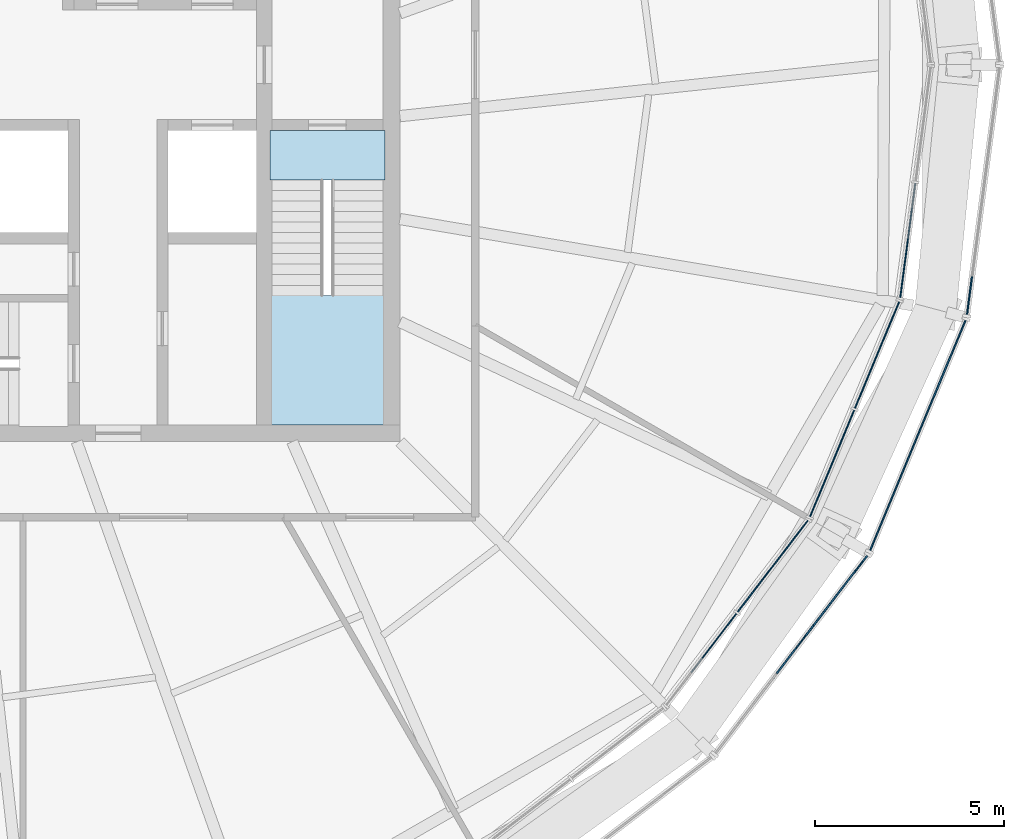
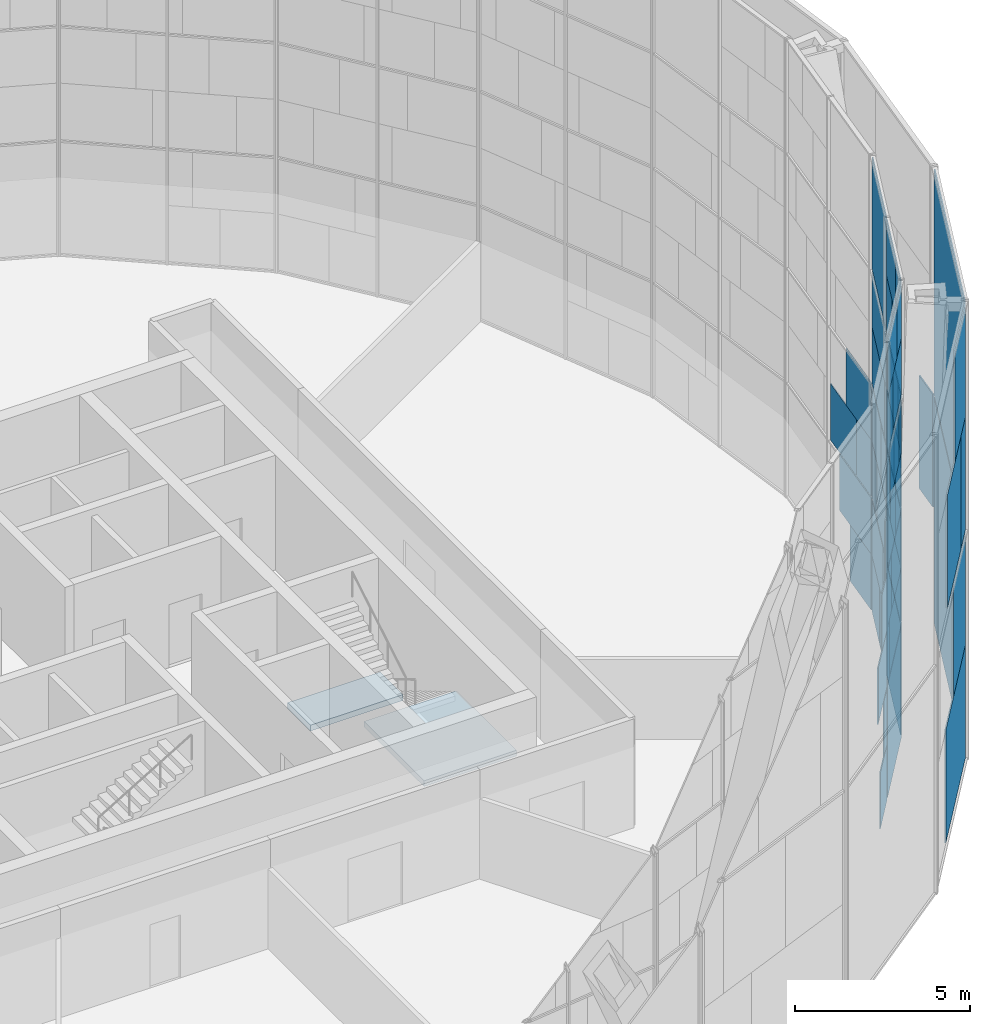
# One storey, part 19 of 30: 58 plates, 2 slabs, 7 elements without a shape of their own.
"""IFC4 building model written with IfcOpenShell, lengths in metres."""

import ifcopenshell
import ifcopenshell.guid

model = None  # the IFC model being written
_history = None  # IfcOwnerHistory: only IFC2X3 demands one
_inside = {}  # id of a spatial element -> (the spatial element, [elements in it])
_under = {}  # id of a project, library or spatial element -> (it, [spatial elements below it])
_declared = {}  # id of a project -> (the project, [libraries it declares])
_typed = {}  # id of a type object -> (the type object, [elements of that type])
_made_of = {}  # id of a material, layer set ... -> (it, [elements and type objects made of it])


def new_model(schema):
    """Start an empty IFC model of exactly this schema.

    Asked for "IFC4X3", IfcOpenShell would pick the latest addendum, in which some entities
    have other attributes; the version numbers below select the first issue.
    IFC2X3 requires an IfcOwnerHistory on every rooted entity: one is made here for all.
    """
    global model, _history
    if schema == "IFC4X3":
        model = ifcopenshell.file(schema_version=(4, 3, 0, 0))
    else:
        model = ifcopenshell.file(schema=schema)
    _inside.clear()
    _under.clear()
    _declared.clear()
    _typed.clear()
    _made_of.clear()
    _history = None
    if model.schema == "IFC2X3":
        org = make("IfcOrganization", Name="unknown")
        user = make(
            "IfcPersonAndOrganization",
            ThePerson=make("IfcPerson", FamilyName="unknown"),
            TheOrganization=org,
        )
        app = make(
            "IfcApplication",
            ApplicationDeveloper=org,
            Version="unknown",
            ApplicationFullName="unknown",
            ApplicationIdentifier="unknown",
        )
        _history = make(
            "IfcOwnerHistory",
            OwningUser=user,
            OwningApplication=app,
            ChangeAction="ADDED",
            CreationDate=0,
        )
    return model


def make(cls, **values):
    """One entity of the class cls with the attributes given. An attribute that is None is left unset."""
    return model.create_entity(
        cls, **{name: value for name, value in values.items() if value is not None}
    )


def rooted(cls, **values):
    """An entity with a GlobalId (a new one), such as an element, a storey or a relation."""
    return make(cls, GlobalId=ifcopenshell.guid.new(), OwnerHistory=_history, **values)


def si_unit(unit_type, name, prefix=None):
    """IfcSIUnit, for example si_unit("LENGTHUNIT", "METRE", prefix="MILLI")."""
    return make("IfcSIUnit", UnitType=unit_type, Prefix=prefix, Name=name)


def assignment(units):
    """IfcUnitAssignment: the units of a project."""
    return None if units is None else make("IfcUnitAssignment", Units=units)


def point(xyz):
    """IfcCartesianPoint."""
    return None if xyz is None else make("IfcCartesianPoint", Coordinates=xyz)


def direction(xyz):
    """IfcDirection."""
    return None if xyz is None else make("IfcDirection", DirectionRatios=xyz)


def frame(location, z_axis=None, x_axis=None):
    """IfcAxis2Placement3D, a coordinate frame: its origin and axes. An axis left out is left unset."""
    return make(
        "IfcAxis2Placement3D",
        Location=point(location),
        Axis=direction(z_axis),
        RefDirection=direction(x_axis),
    )


def frame_2d(location, x_axis=None):
    """IfcAxis2Placement2D, a coordinate frame in the plane: its origin and x axis."""
    return make(
        "IfcAxis2Placement2D", Location=point(location), RefDirection=direction(x_axis)
    )


def origin():
    """The frame at (0, 0, 0) with its axes left unset."""
    return frame((0.0, 0.0, 0.0))


def origin_2d():
    """The frame at (0, 0) in the plane with its x axis left unset."""
    return frame_2d((0.0, 0.0))


def place(relative_to, where):
    """IfcLocalPlacement: puts the frame where relative to a parent placement (None: the world)."""
    return make(
        "IfcLocalPlacement", PlacementRelTo=relative_to, RelativePlacement=where
    )


def context(
    kind, dimensions, precision=None, world=None, true_north=None, identifier=None
):
    """IfcGeometricRepresentationContext, for example the 3D "Model" context."""
    return make(
        "IfcGeometricRepresentationContext",
        ContextIdentifier=identifier,
        ContextType=kind,
        CoordinateSpaceDimension=dimensions,
        Precision=precision,
        WorldCoordinateSystem=world,
        TrueNorth=true_north,
    )


def subcontext(parent, identifier, kind, view, scale=None):
    """IfcGeometricRepresentationSubContext, for example "Body" below "Model"."""
    return make(
        "IfcGeometricRepresentationSubContext",
        ContextIdentifier=identifier,
        ContextType=kind,
        ParentContext=parent,
        TargetScale=scale,
        TargetView=view,
    )


def project(units=None, contexts=None):
    """IfcProject with its units and contexts."""
    return rooted(
        "IfcProject",
        Name="project",
        RepresentationContexts=contexts,
        UnitsInContext=assignment(units),
    )


def spatial(cls, under=None, at=None, **own):
    """A site, building, storey or space (cls), placed at a placement, below another one or the project."""
    s = rooted(cls, ObjectPlacement=at, **own)
    if under is not None:
        _under.setdefault(under.id(), (under, []))[1].append(s)
    return s


def polyline(points):
    """IfcPolyline through the points."""
    return make("IfcPolyline", Points=[point(p) for p in points])


def profile(cls, at=None, kind="AREA", **sizes):
    """A parametric profile (cls). Its sizes go by their IFC names, for example OverallWidth=200.0."""
    return make(cls, ProfileType=kind, Position=at, **sizes)


def rectangle(**sizes):
    """IfcRectangleProfileDef."""
    return profile("IfcRectangleProfileDef", **sizes)


def outline(outer, holes=None, kind="AREA"):
    """IfcArbitraryClosedProfileDef: a profile drawn as a closed curve; with holes, ...WithVoids."""
    if holes is None:
        return make("IfcArbitraryClosedProfileDef", ProfileType=kind, OuterCurve=outer)
    return make(
        "IfcArbitraryProfileDefWithVoids",
        ProfileType=kind,
        OuterCurve=outer,
        InnerCurves=holes,
    )


def extrude(swept, where, along, depth):
    """IfcExtrudedAreaSolid: the profile swept, set in the frame where, extruded along a direction by depth."""
    return make(
        "IfcExtrudedAreaSolid",
        SweptArea=swept,
        Position=where,
        ExtrudedDirection=direction(along),
        Depth=depth,
    )


def shape(context_of_items, identifier, shape_type, items):
    """IfcShapeRepresentation: the items that make up one representation, for example the "Body"."""
    return make(
        "IfcShapeRepresentation",
        ContextOfItems=context_of_items,
        RepresentationIdentifier=identifier,
        RepresentationType=shape_type,
        Items=items,
    )


def material(Name=None, Category=None):
    """IfcMaterial."""
    return make("IfcMaterial", Name=Name, Category=Category)


def layer(
    of_material, thickness, ventilated=None, Name=None, Category=None, Priority=None
):
    """IfcMaterialLayer: one layer of a wall or slab, of a material (None: an air gap)."""
    return make(
        "IfcMaterialLayer",
        Material=of_material,
        LayerThickness=thickness,
        IsVentilated=ventilated,
        Name=Name,
        Category=Category,
        Priority=Priority,
    )


def layer_set(layers, Name=None):
    """IfcMaterialLayerSet."""
    return make("IfcMaterialLayerSet", MaterialLayers=layers, LayerSetName=Name)


def made_of(thing, what):
    """Note that an element or type object is made of a material, layer set ...; save() writes the relation."""
    if what is not None:
        _made_of.setdefault(what.id(), (what, []))[1].append(thing)
    return thing


def type_object(cls, material=None, **own):
    """A type object (cls), such as IfcWallType, which elements share."""
    return made_of(rooted(cls, **own), material)


def element(
    cls,
    number,
    at=None,
    inside=None,
    cuts=None,
    type_object=None,
    material=None,
    context=None,
    identifier="Body",
    shape_type=None,
    held_by="IfcProductDefinitionShape",
    body=None,
    shapes=None,
    **own,
):
    """One element of the class cls, such as IfcWall. Its Tag is "e" and its number.

    at: its placement. inside: the storey or other place that contains it. cuts: it is an
    opening in that element (IfcRelVoidsElement). A single representation is given by context,
    identifier, shape_type and body (its items); several are given by shapes. held_by: the class
    of the entity that holds the representations. save() writes the other relations.
    """
    e = rooted(cls, Tag="e%d" % number, ObjectPlacement=at, **own)
    if body is not None:
        shapes = [shape(context, identifier, shape_type, body)]
    if shapes is not None:
        e.Representation = make(held_by, Representations=shapes)
    if inside is not None:
        _inside.setdefault(inside.id(), (inside, []))[1].append(e)
    if cuts is not None:
        rooted(
            "IfcRelVoidsElement", RelatingBuildingElement=cuts, RelatedOpeningElement=e
        )
    if type_object is not None:
        _typed.setdefault(type_object.id(), (type_object, []))[1].append(e)
    return made_of(e, material)


def aggregate(whole, parts):
    """IfcRelAggregates: a whole, such as a stair, and the parts it consists of."""
    return rooted("IfcRelAggregates", RelatingObject=whole, RelatedObjects=parts)


def save(model, path):
    """Write the relations noted so far, then the file.

    IfcRelAggregates (storeys below a building ...), IfcRelContainedInSpatialStructure (elements
    in a storey), IfcRelDefinesByType, IfcRelAssociatesMaterial and IfcRelDeclares: one each for
    every whole, place, type object, material and project.
    """
    for whole, parts in _under.values():
        aggregate(whole, parts)
    for where, things in _inside.values():
        rooted(
            "IfcRelContainedInSpatialStructure",
            RelatedElements=things,
            RelatingStructure=where,
        )
    for kind, things in _typed.values():
        rooted("IfcRelDefinesByType", RelatedObjects=things, RelatingType=kind)
    for what, things in _made_of.values():
        rooted("IfcRelAssociatesMaterial", RelatedObjects=things, RelatingMaterial=what)
    for by, libraries in _declared.values():
        rooted("IfcRelDeclares", RelatingContext=by, RelatedDefinitions=libraries)
    model.write(path)


model = new_model("IFC4")

# Units and contexts
model_context = context("Model", 3, precision=1e-05, world=origin(), true_north=direction((0.0, 1.0)))
body_context = subcontext(model_context, "Body", "Model", "MODEL_VIEW")
ifc_project = project(units=[si_unit("LENGTHUNIT", "METRE"), si_unit("AREAUNIT", "SQUARE_METRE"), si_unit("VOLUMEUNIT", "CUBIC_METRE"), si_unit("PLANEANGLEUNIT", "RADIAN"), si_unit("MASSUNIT", "GRAM", prefix="KILO")], contexts=[model_context])

# Site, building, storey
site_placement = place(None, origin())
site = spatial("IfcSite", under=ifc_project, at=site_placement, CompositionType="ELEMENT")
building_placement = place(site_placement, origin())
building = spatial("IfcBuilding", under=site, at=building_placement, Name="Golbaran Civic Tower", CompositionType="ELEMENT")
storey_placement = place(building_placement, frame((0.0, 0.0, 167.0)))
storey = spatial("IfcBuildingStorey", under=building, at=storey_placement, Name="L40", CompositionType="ELEMENT", Elevation=167.0)

# Curtain wall, plates
ifc_material_1 = material(Name="Aluminium and glass", Category="aluminium")
curtain_wall_type_1 = type_object("IfcCurtainWallType", Name="INNER SKIN CURTAIN WALL EXECUTIVE", PredefinedType="NOTDEFINED", material=ifc_material_1)
curtain_wall_1_placement = place(storey_placement, origin())
curtain_wall_1 = element("IfcCurtainWall", 1, at=curtain_wall_1_placement, inside=storey, type_object=curtain_wall_type_1, Name="Inner skin L40 facet 22 CW2", ObjectType="INNER SKIN", PredefinedType="USERDEFINED")
ifc_material_2 = material(Name="Clear insulating glass", Category="glass")
ifc_layer_1 = layer(ifc_material_2, 0.031982421875, Name="Clear insulating glass")
ifc_layer_set_1 = layer_set([ifc_layer_1], Name="Clear insulating glass")
plate_type_1 = type_object("IfcPlateType", Name="INNER SKIN CURTAIN WALL EXECUTIVE GLAZED PANEL", PredefinedType="CURTAIN_PANEL", material=ifc_layer_set_1)
plate_1_placement = place(storey_placement, frame((18.474365234375, -15.14599609375, 0.06005859375), z_axis=(0.0, 0.0, 1.0), x_axis=(0.608761429036, 0.79335334027, 0.0)))
plate_1 = element("IfcPlate", 2, at=plate_1_placement, type_object=plate_type_1, Name="CW2 panel 1.1 part 2", PredefinedType="CURTAIN_PANEL", context=body_context, shape_type="SweptSolid", body=[
    extrude(rectangle(XDim=1.4794921875, YDim=0.031982421875, at=origin_2d()), origin(), (0.0, 0.0, 1.0), 1.955078125),
])
plate_2_placement = place(storey_placement, frame((18.716552734375, -14.830322265625, 2.014892578125), z_axis=(0.0, 0.0, 1.0), x_axis=(0.608761429036, 0.79335334027, 0.0)))
plate_2 = element("IfcPlate", 3, at=plate_2_placement, type_object=plate_type_1, Name="CW2 panel 1.1 part 4", PredefinedType="CURTAIN_PANEL", context=body_context, shape_type="SweptSolid", body=[
    extrude(rectangle(XDim=0.683349609375, YDim=0.031982421875, at=origin_2d()), origin(), (0.0, 0.0, 1.0), 1.955078125),
])
plate_3_placement = place(storey_placement, frame((19.890625, -13.30029296875, 0.06005859375), z_axis=(0.0, 0.0, 1.0), x_axis=(0.608761429036, 0.79335334027, 0.0)))
plate_3 = element("IfcPlate", 4, at=plate_3_placement, type_object=plate_type_1, Name="CW2 panel 2.1", PredefinedType="CURTAIN_PANEL", context=body_context, shape_type="SweptSolid", body=[
    extrude(rectangle(XDim=3.053466796875, YDim=0.031982421875, at=origin_2d()), origin(), (0.0, 0.0, 1.0), 3.909912109375),
])
plate_4_placement = place(storey_placement, frame((20.0126953125, -13.141357421875, 4.02978515625), z_axis=(0.0, 0.0, 1.0), x_axis=(0.608761429036, 0.79335334027, 0.0)))
plate_4 = element("IfcPlate", 5, at=plate_4_placement, type_object=plate_type_1, Name="CW2 panel 2.2 part 2", PredefinedType="CURTAIN_PANEL", context=body_context, shape_type="SweptSolid", body=[
    extrude(rectangle(XDim=2.65234375, YDim=0.031982421875, at=origin_2d()), origin(), (0.0, 0.0, 1.0), 1.969970703125),
])
plate_5_placement = place(storey_placement, frame((20.159912109375, -12.94921875, 6.0), z_axis=(0.0, 0.0, 1.0), x_axis=(0.608761429036, 0.79335334027, 0.0)))
plate_5 = element("IfcPlate", 6, at=plate_5_placement, type_object=plate_type_1, Name="CW2 panel 2.2 part 4", PredefinedType="CURTAIN_PANEL", context=body_context, shape_type="SweptSolid", body=[
    extrude(rectangle(XDim=2.16845703125, YDim=0.031982421875, at=origin_2d()), origin(), (0.0, 0.0, 1.0), 1.969970703125),
])
plate_6_placement = place(storey_placement, frame((20.411376953125, -12.62158203125, 8.02978515625), z_axis=(0.0, 0.0, 1.0), x_axis=(0.608761429036, 0.79335334027, 0.0)))
plate_6 = element("IfcPlate", 7, at=plate_6_placement, type_object=plate_type_1, Name="CW2 panel 2.3 part 2", PredefinedType="CURTAIN_PANEL", context=body_context, shape_type="SweptSolid", body=[
    extrude(rectangle(XDim=1.342529296875, YDim=0.031982421875, at=origin_2d()), origin(), (0.0, 0.0, 1.0), 1.969970703125),
])
plate_7_placement = place(storey_placement, frame((19.0849609375, -14.35009765625, 10.0), z_axis=(0.0, 0.0, 1.0), x_axis=(0.608761429036, 0.79335334027, 0.0)))
plate_7 = element("IfcPlate", 8, at=plate_7_placement, type_object=plate_type_1, Name="CW2 panel 2.3 part 3", PredefinedType="CURTAIN_PANEL", context=body_context, shape_type="SweptSolid", body=[
    extrude(rectangle(XDim=0.406982421875, YDim=0.031982421875, at=origin_2d()), origin(), (0.0, 0.0, 1.0), 1.969970703125),
])
plate_8_placement = place(storey_placement, frame((20.65576171875, -12.302978515625, 10.0), z_axis=(0.0, 0.0, 1.0), x_axis=(0.608761429036, 0.79335334027, 0.0)))
plate_8 = element("IfcPlate", 9, at=plate_8_placement, type_object=plate_type_1, Name="CW2 panel 2.3 part 5", PredefinedType="CURTAIN_PANEL", context=body_context, shape_type="SweptSolid", body=[
    extrude(rectangle(XDim=0.53955078125, YDim=0.031982421875, at=origin_2d()), origin(), (0.0, 0.0, 1.0), 1.969970703125),
])
plate_9_placement = place(storey_placement, frame((19.336669921875, -14.02197265625, 12.030029296875), z_axis=(0.0, 0.0, 1.0), x_axis=(0.608761429036, 0.79335334027, 0.0)))
plate_9 = element("IfcPlate", 10, at=plate_9_placement, type_object=plate_type_1, Name="CW2 panel 2.4 part 1", PredefinedType="CURTAIN_PANEL", context=body_context, shape_type="SweptSolid", body=[
    extrude(rectangle(XDim=1.23388671875, YDim=0.031982421875, at=origin_2d()), origin(), (0.0, 0.0, 1.0), 1.955078125),
])
plate_10_placement = place(storey_placement, frame((19.5791015625, -13.706298828125, 13.98486328125), z_axis=(0.0, 0.0, 1.0), x_axis=(0.608761429036, 0.79335334027, 0.0)))
plate_10 = element("IfcPlate", 11, at=plate_10_placement, type_object=plate_type_1, Name="CW2 panel 2.4 part 3", PredefinedType="CURTAIN_PANEL", context=body_context, shape_type="SweptSolid", body=[
    extrude(rectangle(XDim=2.030029296875, YDim=0.031982421875, at=origin_2d()), origin(), (0.0, 0.0, 1.0), 1.955078125),
])

curtain_wall_2_placement = place(storey_placement, origin())
curtain_wall_2 = element("IfcCurtainWall", 12, at=curtain_wall_2_placement, inside=storey, type_object=curtain_wall_type_1, Name="Inner skin L40 facet 23 CW2", ObjectType="INNER SKIN", PredefinedType="USERDEFINED")
plate_11_placement = place(storey_placement, frame((21.463623046875, -10.575439453125, 0.06005859375), z_axis=(0.0, 0.0, 1.0), x_axis=(0.382683432462, 0.923879532471, 0.0)))
plate_11 = element("IfcPlate", 13, at=plate_11_placement, type_object=plate_type_1, Name="CW2 panel 1.1", PredefinedType="CURTAIN_PANEL", context=body_context, shape_type="SweptSolid", body=[
    extrude(rectangle(XDim=3.053466796875, YDim=0.031982421875, at=origin_2d()), origin(), (0.0, 0.0, 1.0), 3.909912109375),
])
plate_12_placement = place(storey_placement, frame((21.386962890625, -10.760986328125, 4.02978515625), z_axis=(0.0, 0.0, 1.0), x_axis=(0.382683432462, 0.923879532471, 0.0)))
plate_12 = element("IfcPlate", 14, at=plate_12_placement, type_object=plate_type_1, Name="CW2 panel 1.2 part 1", PredefinedType="CURTAIN_PANEL", context=body_context, shape_type="SweptSolid", body=[
    extrude(rectangle(XDim=2.652099609375, YDim=0.031982421875, at=origin_2d()), origin(), (0.0, 0.0, 1.0), 1.969970703125),
])
plate_13_placement = place(storey_placement, frame((21.29443359375, -10.984130859375, 6.0), z_axis=(0.0, 0.0, 1.0), x_axis=(0.382683432462, 0.923879532471, 0.0)))
plate_13 = element("IfcPlate", 15, at=plate_13_placement, type_object=plate_type_1, Name="CW2 panel 1.2 part 3", PredefinedType="CURTAIN_PANEL", context=body_context, shape_type="SweptSolid", body=[
    extrude(rectangle(XDim=2.1689453125, YDim=0.031982421875, at=origin_2d()), origin(), (0.0, 0.0, 1.0), 1.969970703125),
])
plate_14_placement = place(storey_placement, frame((21.13623046875, -11.3662109375, 8.02978515625), z_axis=(0.0, 0.0, 1.0), x_axis=(0.382683432462, 0.923879532471, 0.0)))
plate_14 = element("IfcPlate", 16, at=plate_14_placement, type_object=plate_type_1, Name="CW2 panel 1.3 part 1", PredefinedType="CURTAIN_PANEL", context=body_context, shape_type="SweptSolid", body=[
    extrude(rectangle(XDim=1.342041015625, YDim=0.031982421875, at=origin_2d()), origin(), (0.0, 0.0, 1.0), 1.969970703125),
])
plate_15_placement = place(storey_placement, frame((20.982666015625, -11.736572265625, 10.0), z_axis=(0.0, 0.0, 1.0), x_axis=(0.382683432462, 0.923879532471, 0.0)))
plate_15 = element("IfcPlate", 17, at=plate_15_placement, type_object=plate_type_1, Name="CW2 panel 1.3 part 3", PredefinedType="CURTAIN_PANEL", context=body_context, shape_type="SweptSolid", body=[
    extrude(rectangle(XDim=0.5400390625, YDim=0.031982421875, at=origin_2d()), origin(), (0.0, 0.0, 1.0), 1.969970703125),
])
plate_16_placement = place(storey_placement, frame((21.969970703125, -9.353271484375, 10.0), z_axis=(0.0, 0.0, 1.0), x_axis=(0.382683432462, 0.923879532471, 0.0)))
plate_16 = element("IfcPlate", 18, at=plate_16_placement, type_object=plate_type_1, Name="CW2 panel 1.3 part 5", PredefinedType="CURTAIN_PANEL", context=body_context, shape_type="SweptSolid", body=[
    extrude(rectangle(XDim=0.407470703125, YDim=0.031982421875, at=origin_2d()), origin(), (0.0, 0.0, 1.0), 1.969970703125),
])
plate_17_placement = place(storey_placement, frame((21.81201171875, -9.73486328125, 12.030029296875), z_axis=(0.0, 0.0, 1.0), x_axis=(0.382683432462, 0.923879532471, 0.0)))
plate_17 = element("IfcPlate", 19, at=plate_17_placement, type_object=plate_type_1, Name="CW2 panel 1.4 part 2", PredefinedType="CURTAIN_PANEL", context=body_context, shape_type="SweptSolid", body=[
    extrude(rectangle(XDim=1.2333984375, YDim=0.031982421875, at=origin_2d()), origin(), (0.0, 0.0, 1.0), 1.955078125),
])
plate_18_placement = place(storey_placement, frame((21.65966796875, -10.1025390625, 13.98486328125), z_axis=(0.0, 0.0, 1.0), x_axis=(0.382683432462, 0.923879532471, 0.0)))
plate_18 = element("IfcPlate", 20, at=plate_18_placement, type_object=plate_type_1, Name="CW2 panel 1.4 part 4", PredefinedType="CURTAIN_PANEL", context=body_context, shape_type="SweptSolid", body=[
    extrude(rectangle(XDim=2.029541015625, YDim=0.031982421875, at=origin_2d()), origin(), (0.0, 0.0, 1.0), 1.955078125),
])
plate_19_placement = place(storey_placement, frame((22.35400390625, -8.426025390625, 0.06005859375), z_axis=(0.0, 0.0, 1.0), x_axis=(0.382683432462, 0.923879532471, 0.0)))
plate_19 = element("IfcPlate", 21, at=plate_19_placement, type_object=plate_type_1, Name="CW2 panel 2.1 part 1", PredefinedType="CURTAIN_PANEL", context=body_context, shape_type="SweptSolid", body=[
    extrude(rectangle(XDim=1.47998046875, YDim=0.031982421875, at=origin_2d()), origin(), (0.0, 0.0, 1.0), 1.955078125),
])
plate_20_placement = place(storey_placement, frame((22.201904296875, -8.793701171875, 2.014892578125), z_axis=(0.0, 0.0, 1.0), x_axis=(0.382683432462, 0.923879532471, 0.0)))
plate_20 = element("IfcPlate", 22, at=plate_20_placement, type_object=plate_type_1, Name="CW2 panel 2.1 part 3", PredefinedType="CURTAIN_PANEL", context=body_context, shape_type="SweptSolid", body=[
    extrude(rectangle(XDim=0.68408203125, YDim=0.031982421875, at=origin_2d()), origin(), (0.0, 0.0, 1.0), 1.955078125),
])
plate_21_placement = place(storey_placement, frame((23.031005859375, -6.791748046875, 4.02978515625), z_axis=(0.0, 0.0, 1.0), x_axis=(0.382683432462, 0.923879532471, 0.0)))
plate_21 = element("IfcPlate", 23, at=plate_21_placement, type_object=plate_type_1, Name="CW2 panel 2.2 part 2", PredefinedType="CURTAIN_PANEL", context=body_context, shape_type="SweptSolid", body=[
    extrude(rectangle(XDim=1.08935546875, YDim=0.031982421875, at=origin_2d()), origin(), (0.0, 0.0, 1.0), 1.969970703125),
])
plate_22_placement = place(storey_placement, frame((22.87744140625, -7.162841796875, 6.0), z_axis=(0.0, 0.0, 1.0), x_axis=(0.382683432462, 0.923879532471, 0.0)))
plate_22 = element("IfcPlate", 24, at=plate_22_placement, type_object=plate_type_1, Name="CW2 panel 2.2 part 4", PredefinedType="CURTAIN_PANEL", context=body_context, shape_type="SweptSolid", body=[
    extrude(rectangle(XDim=1.892578125, YDim=0.031982421875, at=origin_2d()), origin(), (0.0, 0.0, 1.0), 1.969970703125),
])
plate_23_placement = place(storey_placement, frame((22.73193359375, -7.513916015625, 8.02978515625), z_axis=(0.0, 0.0, 1.0), x_axis=(0.382683432462, 0.923879532471, 0.0)))
plate_23 = element("IfcPlate", 25, at=plate_23_placement, type_object=plate_type_1, Name="CW2 panel 2.3 part 2", PredefinedType="CURTAIN_PANEL", context=body_context, shape_type="SweptSolid", body=[
    extrude(rectangle(XDim=2.65234375, YDim=0.031982421875, at=origin_2d()), origin(), (0.0, 0.0, 1.0), 1.969970703125),
])
plate_24_placement = place(storey_placement, frame((22.6552734375, -7.698974609375, 10.0), z_axis=(0.0, 0.0, 1.0), x_axis=(0.382683432462, 0.923879532471, 0.0)))
plate_24 = element("IfcPlate", 26, at=plate_24_placement, type_object=plate_type_1, Name="CW2 panel 2.3 part 3", PredefinedType="CURTAIN_PANEL", context=body_context, shape_type="SweptSolid", body=[
    extrude(rectangle(XDim=3.053466796875, YDim=0.031982421875, at=origin_2d()), origin(), (0.0, 0.0, 1.0), 1.969970703125),
])
plate_25_placement = place(storey_placement, frame((22.6552734375, -7.698974609375, 12.0302734375), z_axis=(0.0, 0.0, 1.0), x_axis=(0.382683432462, 0.923879532471, 0.0)))
plate_25 = element("IfcPlate", 27, at=plate_25_placement, type_object=plate_type_1, Name="CW2 panel 2.4", PredefinedType="CURTAIN_PANEL", context=body_context, shape_type="SweptSolid", body=[
    extrude(rectangle(XDim=3.053466796875, YDim=0.031982421875, at=origin_2d()), origin(), (0.0, 0.0, 1.0), 3.909912109375),
])

curtain_wall_3_placement = place(storey_placement, origin())
curtain_wall_3 = element("IfcCurtainWall", 28, at=curtain_wall_3_placement, inside=storey, type_object=curtain_wall_type_1, Name="Inner skin L40 facet 24 CW2", ObjectType="INNER SKIN", PredefinedType="USERDEFINED")
plate_26_placement = place(storey_placement, frame((23.34130859375, -5.63330078125, 4.02978515625), z_axis=(0.0, 0.0, 1.0), x_axis=(0.130526192151, 0.991444861383, 0.0)))
plate_26 = element("IfcPlate", 29, at=plate_26_placement, type_object=plate_type_1, Name="CW2 panel 1.2 part 1", PredefinedType="CURTAIN_PANEL", context=body_context, shape_type="SweptSolid", body=[
    extrude(rectangle(XDim=1.090087890625, YDim=0.031982421875, at=origin_2d()), origin(), (0.0, 0.0, 1.0), 1.969970703125),
])
plate_27_placement = place(storey_placement, frame((23.393798828125, -5.23583984375, 6.0), z_axis=(0.0, 0.0, 1.0), x_axis=(0.130526192151, 0.991444861383, 0.0)))
plate_27 = element("IfcPlate", 30, at=plate_27_placement, type_object=plate_type_1, Name="CW2 panel 1.2 part 3", PredefinedType="CURTAIN_PANEL", context=body_context, shape_type="SweptSolid", body=[
    extrude(rectangle(XDim=1.89208984375, YDim=0.031982421875, at=origin_2d()), origin(), (0.0, 0.0, 1.0), 1.969970703125),
])

# Plate
ifc_material_3 = material(Name="Aluminium faced opaque infill panel", Category="aluminium")
ifc_layer_2 = layer(ifc_material_3, 0.031982421875, Name="Aluminium faced opaque infill panel")
ifc_layer_set_2 = layer_set([ifc_layer_2], Name="Aluminium faced opaque infill panel")
plate_type_2 = type_object("IfcPlateType", Name="INNER SKIN CURTAIN WALL EXECUTIVE OPAQUE INFILL PANEL", PredefinedType="CURTAIN_PANEL", material=ifc_layer_set_2)
plate_28_placement = place(storey_placement, frame((18.326904296875, -15.338134765625, 4.02978515625), z_axis=(0.0, 0.0, 1.0), x_axis=(0.608761429036, 0.79335334027, 0.0)))
plate_28 = element("IfcPlate", 31, at=plate_28_placement, type_object=plate_type_2, Name="CW2 infill panel 1.2 part 2", PredefinedType="CURTAIN_PANEL", context=body_context, shape_type="SweptSolid", body=[
    extrude(rectangle(XDim=1.96337890625, YDim=0.031982421875, at=origin_2d()), origin(), (0.0, 0.0, 1.0), 1.969970703125),
])

plate_29_placement = place(storey_placement, frame((18.571044921875, -15.02001953125, 6.0), z_axis=(0.0, 0.0, 1.0), x_axis=(0.608761429036, 0.79335334027, 0.0)))
plate_29 = element("IfcPlate", 32, at=plate_29_placement, type_object=plate_type_2, Name="CW2 infill panel 1.2 part 4", PredefinedType="CURTAIN_PANEL", context=body_context, shape_type="SweptSolid", body=[
    extrude(rectangle(XDim=1.161376953125, YDim=0.031982421875, at=origin_2d()), origin(), (0.0, 0.0, 1.0), 1.969970703125),
])

plate_30_placement = place(storey_placement, frame((18.802490234375, -14.718505859375, 8.02978515625), z_axis=(0.0, 0.0, 1.0), x_axis=(0.608761429036, 0.79335334027, 0.0)))
plate_30 = element("IfcPlate", 33, at=plate_30_placement, type_object=plate_type_2, Name="CW2 infill panel 1.3 part 2", PredefinedType="CURTAIN_PANEL", context=body_context, shape_type="SweptSolid", body=[
    extrude(rectangle(XDim=0.4013671875, YDim=0.031982421875, at=origin_2d()), origin(), (0.0, 0.0, 1.0), 1.969970703125),
])

plate_31_placement = place(storey_placement, frame((19.083251953125, -14.3525390625, 4.02978515625), z_axis=(0.0, 0.0, 1.0), x_axis=(0.608761429036, 0.79335334027, 0.0)))
plate_31 = element("IfcPlate", 34, at=plate_31_placement, type_object=plate_type_2, Name="CW2 infill panel 2.2 part 1", PredefinedType="CURTAIN_PANEL", context=body_context, shape_type="SweptSolid", body=[
    extrude(rectangle(XDim=0.40087890625, YDim=0.031982421875, at=origin_2d()), origin(), (0.0, 0.0, 1.0), 1.969970703125),
])

plate_32_placement = place(storey_placement, frame((19.23046875, -14.160400390625, 6.0), z_axis=(0.0, 0.0, 1.0), x_axis=(0.608761429036, 0.79335334027, 0.0)))
plate_32 = element("IfcPlate", 35, at=plate_32_placement, type_object=plate_type_2, Name="CW2 infill panel 2.2 part 3", PredefinedType="CURTAIN_PANEL", context=body_context, shape_type="SweptSolid", body=[
    extrude(rectangle(XDim=0.885009765625, YDim=0.031982421875, at=origin_2d()), origin(), (0.0, 0.0, 1.0), 1.969970703125),
])

plate_33_placement = place(storey_placement, frame((19.48193359375, -13.832763671875, 8.02978515625), z_axis=(0.0, 0.0, 1.0), x_axis=(0.608761429036, 0.79335334027, 0.0)))
plate_33 = element("IfcPlate", 36, at=plate_33_placement, type_object=plate_type_2, Name="CW2 infill panel 2.3 part 1", PredefinedType="CURTAIN_PANEL", context=body_context, shape_type="SweptSolid", body=[
    extrude(rectangle(XDim=1.7109375, YDim=0.031982421875, at=origin_2d()), origin(), (0.0, 0.0, 1.0), 1.969970703125),
])

plate_34_placement = place(storey_placement, frame((19.850341796875, -13.352783203125, 10.0), z_axis=(0.0, 0.0, 1.0), x_axis=(0.608761429036, 0.79335334027, 0.0)))
plate_34 = element("IfcPlate", 37, at=plate_34_placement, type_object=plate_type_2, Name="CW2 infill panel 2.3 part 4", PredefinedType="CURTAIN_PANEL", context=body_context, shape_type="SweptSolid", body=[
    extrude(rectangle(XDim=2.10693359375, YDim=0.031982421875, at=origin_2d()), origin(), (0.0, 0.0, 1.0), 1.969970703125),
])

plate_35_placement = place(storey_placement, frame((20.26611328125, -12.810791015625, 12.030029296875), z_axis=(0.0, 0.0, 1.0), x_axis=(0.608761429036, 0.79335334027, 0.0)))
plate_35 = element("IfcPlate", 38, at=plate_35_placement, type_object=plate_type_2, Name="CW2 infill panel 2.4 part 2", PredefinedType="CURTAIN_PANEL", context=body_context, shape_type="SweptSolid", body=[
    extrude(rectangle(XDim=1.819580078125, YDim=0.031982421875, at=origin_2d()), origin(), (0.0, 0.0, 1.0), 1.955078125),
])

plate_36_placement = place(storey_placement, frame((20.508544921875, -12.4951171875, 13.98486328125), z_axis=(0.0, 0.0, 1.0), x_axis=(0.608761429036, 0.79335334027, 0.0)))
plate_36 = element("IfcPlate", 39, at=plate_36_placement, type_object=plate_type_2, Name="CW2 infill panel 2.4 part 4", PredefinedType="CURTAIN_PANEL", context=body_context, shape_type="SweptSolid", body=[
    extrude(rectangle(XDim=1.0234375, YDim=0.031982421875, at=origin_2d()), origin(), (0.0, 0.0, 1.0), 1.955078125),
])

aggregate(curtain_wall_1, [plate_1, plate_2, plate_28, plate_29, plate_30, plate_3, plate_31, plate_4, plate_32, plate_5, plate_33, plate_6, plate_7, plate_34, plate_8, plate_9, plate_35, plate_10, plate_36])

plate_37_placement = place(storey_placement, frame((21.97119140625, -9.3505859375, 4.02978515625), z_axis=(0.0, 0.0, 1.0), x_axis=(0.382683432462, 0.923879532471, 0.0)))
plate_37 = element("IfcPlate", 40, at=plate_37_placement, type_object=plate_type_2, Name="CW2 infill panel 1.2 part 2", PredefinedType="CURTAIN_PANEL", context=body_context, shape_type="SweptSolid", body=[
    extrude(rectangle(XDim=0.4013671875, YDim=0.031982421875, at=origin_2d()), origin(), (0.0, 0.0, 1.0), 1.969970703125),
])

plate_38_placement = place(storey_placement, frame((21.878662109375, -9.573486328125, 6.0), z_axis=(0.0, 0.0, 1.0), x_axis=(0.382683432462, 0.923879532471, 0.0)))
plate_38 = element("IfcPlate", 41, at=plate_38_placement, type_object=plate_type_2, Name="CW2 infill panel 1.2 part 4", PredefinedType="CURTAIN_PANEL", context=body_context, shape_type="SweptSolid", body=[
    extrude(rectangle(XDim=0.884521484375, YDim=0.031982421875, at=origin_2d()), origin(), (0.0, 0.0, 1.0), 1.969970703125),
])

plate_39_placement = place(storey_placement, frame((21.720458984375, -9.95556640625, 8.02978515625), z_axis=(0.0, 0.0, 1.0), x_axis=(0.382683432462, 0.923879532471, 0.0)))
plate_39 = element("IfcPlate", 42, at=plate_39_placement, type_object=plate_type_2, Name="CW2 infill panel 1.3 part 2", PredefinedType="CURTAIN_PANEL", context=body_context, shape_type="SweptSolid", body=[
    extrude(rectangle(XDim=1.71142578125, YDim=0.031982421875, at=origin_2d()), origin(), (0.0, 0.0, 1.0), 1.969970703125),
])

plate_40_placement = place(storey_placement, frame((21.489013671875, -10.514404296875, 10.0), z_axis=(0.0, 0.0, 1.0), x_axis=(0.382683432462, 0.923879532471, 0.0)))
plate_40 = element("IfcPlate", 43, at=plate_40_placement, type_object=plate_type_2, Name="CW2 infill panel 1.3 part 4", PredefinedType="CURTAIN_PANEL", context=body_context, shape_type="SweptSolid", body=[
    extrude(rectangle(XDim=2.10595703125, YDim=0.031982421875, at=origin_2d()), origin(), (0.0, 0.0, 1.0), 1.969970703125),
])

plate_41_placement = place(storey_placement, frame((21.227783203125, -11.145263671875, 12.030029296875), z_axis=(0.0, 0.0, 1.0), x_axis=(0.382683432462, 0.923879532471, 0.0)))
plate_41 = element("IfcPlate", 44, at=plate_41_placement, type_object=plate_type_2, Name="CW2 infill panel 1.4 part 1", PredefinedType="CURTAIN_PANEL", context=body_context, shape_type="SweptSolid", body=[
    extrude(rectangle(XDim=1.820068359375, YDim=0.031982421875, at=origin_2d()), origin(), (0.0, 0.0, 1.0), 1.955078125),
])

plate_42_placement = place(storey_placement, frame((21.075439453125, -11.512939453125, 13.98486328125), z_axis=(0.0, 0.0, 1.0), x_axis=(0.382683432462, 0.923879532471, 0.0)))
plate_42 = element("IfcPlate", 45, at=plate_42_placement, type_object=plate_type_2, Name="CW2 infill panel 1.4 part 3", PredefinedType="CURTAIN_PANEL", context=body_context, shape_type="SweptSolid", body=[
    extrude(rectangle(XDim=1.02392578125, YDim=0.031982421875, at=origin_2d()), origin(), (0.0, 0.0, 1.0), 1.955078125),
])

plate_43_placement = place(storey_placement, frame((22.9384765625, -7.015380859375, 0.06005859375), z_axis=(0.0, 0.0, 1.0), x_axis=(0.382683432462, 0.923879532471, 0.0)))
plate_43 = element("IfcPlate", 46, at=plate_43_placement, type_object=plate_type_2, Name="CW2 infill panel 2.1 part 2", PredefinedType="CURTAIN_PANEL", context=body_context, shape_type="SweptSolid", body=[
    extrude(rectangle(XDim=1.573486328125, YDim=0.031982421875, at=origin_2d()), origin(), (0.0, 0.0, 1.0), 1.955078125),
])

plate_44_placement = place(storey_placement, frame((22.7861328125, -7.383056640625, 2.014892578125), z_axis=(0.0, 0.0, 1.0), x_axis=(0.382683432462, 0.923879532471, 0.0)))
plate_44 = element("IfcPlate", 47, at=plate_44_placement, type_object=plate_type_2, Name="CW2 infill panel 2.1 part 4", PredefinedType="CURTAIN_PANEL", context=body_context, shape_type="SweptSolid", body=[
    extrude(rectangle(XDim=2.369384765625, YDim=0.031982421875, at=origin_2d()), origin(), (0.0, 0.0, 1.0), 1.955078125),
])

plate_45_placement = place(storey_placement, frame((22.44677734375, -8.202392578125, 4.02978515625), z_axis=(0.0, 0.0, 1.0), x_axis=(0.382683432462, 0.923879532471, 0.0)))
plate_45 = element("IfcPlate", 48, at=plate_45_placement, type_object=plate_type_2, Name="CW2 infill panel 2.2 part 1", PredefinedType="CURTAIN_PANEL", context=body_context, shape_type="SweptSolid", body=[
    extrude(rectangle(XDim=1.964111328125, YDim=0.031982421875, at=origin_2d()), origin(), (0.0, 0.0, 1.0), 1.969970703125),
])

plate_46_placement = place(storey_placement, frame((22.29296875, -8.5732421875, 6.0), z_axis=(0.0, 0.0, 1.0), x_axis=(0.382683432462, 0.923879532471, 0.0)))
plate_46 = element("IfcPlate", 49, at=plate_46_placement, type_object=plate_type_2, Name="CW2 infill panel 2.2 part 3", PredefinedType="CURTAIN_PANEL", context=body_context, shape_type="SweptSolid", body=[
    extrude(rectangle(XDim=1.160888671875, YDim=0.031982421875, at=origin_2d()), origin(), (0.0, 0.0, 1.0), 1.969970703125),
])

plate_47_placement = place(storey_placement, frame((22.147705078125, -8.92431640625, 8.02978515625), z_axis=(0.0, 0.0, 1.0), x_axis=(0.382683432462, 0.923879532471, 0.0)))
plate_47 = element("IfcPlate", 50, at=plate_47_placement, type_object=plate_type_2, Name="CW2 infill panel 2.3 part 1", PredefinedType="CURTAIN_PANEL", context=body_context, shape_type="SweptSolid", body=[
    extrude(rectangle(XDim=0.40087890625, YDim=0.031982421875, at=origin_2d()), origin(), (0.0, 0.0, 1.0), 1.969970703125),
])

aggregate(curtain_wall_2, [plate_11, plate_12, plate_37, plate_13, plate_38, plate_14, plate_39, plate_15, plate_40, plate_16, plate_41, plate_17, plate_42, plate_18, plate_19, plate_43, plate_20, plate_44, plate_45, plate_21, plate_46, plate_22, plate_47, plate_23, plate_24, plate_25])

plate_48_placement = place(storey_placement, frame((23.373046875, -5.393310546875, 0.06005859375), z_axis=(0.0, 0.0, 1.0), x_axis=(0.130526192151, 0.991444861383, 0.0)))
plate_48 = element("IfcPlate", 51, at=plate_48_placement, type_object=plate_type_2, Name="CW2 infill panel 1.1 part 1", PredefinedType="CURTAIN_PANEL", context=body_context, shape_type="SweptSolid", body=[
    extrude(rectangle(XDim=1.573974609375, YDim=0.031982421875, at=origin_2d()), origin(), (0.0, 0.0, 1.0), 1.955078125),
])

plate_49_placement = place(storey_placement, frame((23.4248046875, -4.998779296875, 2.014892578125), z_axis=(0.0, 0.0, 1.0), x_axis=(0.130526192151, 0.991444861383, 0.0)))
plate_49 = element("IfcPlate", 52, at=plate_49_placement, type_object=plate_type_2, Name="CW2 infill panel 1.1 part 3", PredefinedType="CURTAIN_PANEL", context=body_context, shape_type="SweptSolid", body=[
    extrude(rectangle(XDim=2.3701171875, YDim=0.031982421875, at=origin_2d()), origin(), (0.0, 0.0, 1.0), 1.955078125),
])

plate_50_placement = place(storey_placement, frame((23.54052734375, -4.11962890625, 4.02978515625), z_axis=(0.0, 0.0, 1.0), x_axis=(0.130526192151, 0.991444861383, 0.0)))
plate_50 = element("IfcPlate", 53, at=plate_50_placement, type_object=plate_type_2, Name="CW2 infill panel 1.2 part 2", PredefinedType="CURTAIN_PANEL", context=body_context, shape_type="SweptSolid", body=[
    extrude(rectangle(XDim=1.96337890625, YDim=0.031982421875, at=origin_2d()), origin(), (0.0, 0.0, 1.0), 1.969970703125),
])

aggregate(curtain_wall_3, [plate_48, plate_49, plate_26, plate_50, plate_27])

# Curtain wall, plates
curtain_wall_type_2 = type_object("IfcCurtainWallType", Name="OUTER SKIN TERRACOTTA SCREEN", PredefinedType="NOTDEFINED", material=ifc_material_1)
curtain_wall_4_placement = place(storey_placement, origin())
curtain_wall_4 = element("IfcCurtainWall", 54, at=curtain_wall_4_placement, inside=storey, type_object=curtain_wall_type_2, Name="Outer skin L40 facet 22 CW3", ObjectType="OUTER SKIN", PredefinedType="USERDEFINED")
ifc_material_4 = material(Name="Clear laminated glass", Category="glass")
ifc_layer_3 = layer(ifc_material_4, 0.0400390625, Name="Clear laminated glass")
ifc_layer_set_3 = layer_set([ifc_layer_3], Name="Clear laminated glass")
plate_type_3 = type_object("IfcPlateType", Name="OUTER SKIN CLEAR GLASS PANEL", PredefinedType="CURTAIN_PANEL", material=ifc_layer_set_3)
plate_51_placement = place(storey_placement, frame((21.08837890625, -14.719482421875, -0.6298828125), z_axis=(0.0, 0.0, 1.0), x_axis=(0.608761428967, 0.793353340323, 0.0)))
plate_51 = element("IfcPlate", 55, at=plate_51_placement, type_object=plate_type_3, Name="CW3 panel 1.1 part 2", PredefinedType="CURTAIN_PANEL", context=body_context, shape_type="SweptSolid", body=[
    extrude(rectangle(XDim=4.28466796875, YDim=0.0400390625, at=origin_2d()), origin(), (0.0, 0.0, 1.0), 3.93994140625),
])
plate_52_placement = place(storey_placement, frame((21.57666015625, -14.083251953125, 3.31005859375), z_axis=(0.0, 0.0, 1.0), x_axis=(0.608761428967, 0.793353340323, 0.0)))
plate_52 = element("IfcPlate", 56, at=plate_52_placement, type_object=plate_type_3, Name="CW3 panel 1.1 part 5", PredefinedType="CURTAIN_PANEL", context=body_context, shape_type="SweptSolid", body=[
    extrude(rectangle(XDim=2.6806640625, YDim=0.0400390625, at=origin_2d()), origin(), (0.0, 0.0, 1.0), 3.93994140625),
])
plate_53_placement = place(storey_placement, frame((22.074951171875, -13.43408203125, 7.330078125), z_axis=(0.0, 0.0, 1.0), x_axis=(0.608761428967, 0.793353340323, 0.0)))
plate_53 = element("IfcPlate", 57, at=plate_53_placement, type_object=plate_type_3, Name="CW3 panel 1.2 part 3", PredefinedType="CURTAIN_PANEL", context=body_context, shape_type="SweptSolid", body=[
    extrude(rectangle(XDim=1.043701171875, YDim=0.0400390625, at=origin_2d()), origin(), (0.0, 0.0, 1.0), 3.93994140625),
])

# Curtain wall, plate
curtain_wall_5_placement = place(storey_placement, origin())
curtain_wall_5 = element("IfcCurtainWall", 58, at=curtain_wall_5_placement, inside=storey, type_object=curtain_wall_type_2, Name="Outer skin L40 facet 24 CW3", ObjectType="OUTER SKIN", PredefinedType="USERDEFINED")
plate_54_placement = place(storey_placement, frame((25.106689453125, -6.123779296875, 3.31005859375), z_axis=(0.0, 0.0, 1.0), x_axis=(0.130526192168, 0.991444861381, 0.0)))
plate_54 = element("IfcPlate", 59, at=plate_54_placement, type_object=plate_type_3, Name="CW3 panel 1.1 part 3", PredefinedType="CURTAIN_PANEL", context=body_context, shape_type="SweptSolid", body=[
    extrude(rectangle(XDim=1.01611328125, YDim=0.0400390625, at=origin_2d()), origin(), (0.0, 0.0, 1.0), 3.93994140625),
])
aggregate(curtain_wall_5, [plate_54])

# Plate
ifc_material_5 = material(Name="Terracotta baguette screen", Category="masonry")
ifc_layer_4 = layer(ifc_material_5, 0.0400390625, Name="Terracotta baguette screen")
ifc_layer_set_4 = layer_set([ifc_layer_4], Name="Terracotta baguette screen")
plate_type_4 = type_object("IfcPlateType", Name="OUTER SKIN TERRACOTTA INFILL PANEL", PredefinedType="CURTAIN_PANEL", material=ifc_layer_set_4)
plate_55_placement = place(storey_placement, frame((20.871826171875, -15.001953125, 7.330078125), z_axis=(0.0, 0.0, 1.0), x_axis=(0.608761428967, 0.793353340323, 0.0)))
plate_55 = element("IfcPlate", 60, at=plate_55_placement, type_object=plate_type_4, Name="CW3 infill panel 1.2 part 2", PredefinedType="CURTAIN_PANEL", context=body_context, shape_type="SweptSolid", body=[
    extrude(rectangle(XDim=2.908935546875, YDim=0.0400390625, at=origin_2d()), origin(), (0.0, 0.0, 1.0), 3.93994140625),
])

plate_56_placement = place(storey_placement, frame((21.67822265625, -13.950927734375, 11.27001953125), z_axis=(0.0, 0.0, 1.0), x_axis=(0.608761428967, 0.793353340323, 0.0)))
plate_56 = element("IfcPlate", 61, at=plate_56_placement, type_object=plate_type_4, Name="CW3 infill panel 1.2 part 5", PredefinedType="CURTAIN_PANEL", context=body_context, shape_type="SweptSolid", body=[
    extrude(rectangle(XDim=2.3466796875, YDim=0.0400390625, at=origin_2d()), origin(), (0.0, 0.0, 1.0), 3.93994140625),
])

aggregate(curtain_wall_4, [plate_51, plate_52, plate_55, plate_53, plate_56])

# Curtain wall, plates
curtain_wall_6_placement = place(storey_placement, origin())
curtain_wall_6 = element("IfcCurtainWall", 62, at=curtain_wall_6_placement, inside=storey, type_object=curtain_wall_type_2, Name="Outer skin L40 facet 23 CW3", ObjectType="OUTER SKIN", PredefinedType="USERDEFINED")
ifc_layer_5 = layer(ifc_material_5, 0.0400390625, Name="Terracotta baguette screen")
ifc_layer_set_5 = layer_set([ifc_layer_5], Name="Terracotta baguette screen")
plate_type_5 = type_object("IfcPlateType", Name="OUTER SKIN TERRACOTTA SCREEN PANEL", PredefinedType="CURTAIN_PANEL", material=ifc_layer_set_5)
plate_57_placement = place(storey_placement, frame((23.735595703125, -9.83154296875, -0.6298828125), z_axis=(0.0, 0.0, 1.0), x_axis=(0.382683432462, 0.923879532471, 0.0)))
plate_57 = element("IfcPlate", 63, at=plate_57_placement, type_object=plate_type_5, Name="CW3 terracotta screen panel 1.1", PredefinedType="CURTAIN_PANEL", context=body_context, shape_type="SweptSolid", body=[
    extrude(rectangle(XDim=6.604736328125, YDim=0.0400390625, at=origin_2d()), origin(), (0.0, 0.0, 1.0), 7.8798828125),
])
plate_58_placement = place(storey_placement, frame((23.735595703125, -9.83154296875, 7.330078125), z_axis=(0.0, 0.0, 1.0), x_axis=(0.382683432462, 0.923879532471, 0.0)))
plate_58 = element("IfcPlate", 64, at=plate_58_placement, type_object=plate_type_5, Name="CW3 terracotta screen panel 1.2", PredefinedType="CURTAIN_PANEL", context=body_context, shape_type="SweptSolid", body=[
    extrude(rectangle(XDim=6.604736328125, YDim=0.0400390625, at=origin_2d()), origin(), (0.0, 0.0, 1.0), 7.8798828125),
])
aggregate(curtain_wall_6, [plate_57, plate_58])

# Stair, slab
ifc_material_6 = material(Name="Concrete C35/45", Category="concrete")
stair_type = type_object("IfcStairType", Name="EXIT STAIR 2950 x 7800, 4000 RISE", PredefinedType="HALF_TURN_STAIR", material=ifc_material_6)
stair_placement = place(storey_placement, origin())
stair = element("IfcStair", 65, at=stair_placement, inside=storey, type_object=stair_type, Name="Stair S2 L40", PredefinedType="HALF_TURN_STAIR")
ifc_layer_6 = layer(ifc_material_6, 0.199951171875, Name="Concrete C35/45")
ifc_layer_set_6 = layer_set([ifc_layer_6], Name="Concrete C35/45")
slab_type = type_object("IfcSlabType", Name="STAIR LANDING 200", PredefinedType="LANDING", material=ifc_layer_set_6)
slab_1_placement = place(storey_placement, frame((0.0, 0.0, 1.800048828125)))
slab_1 = element("IfcSlab", 66, at=slab_1_placement, type_object=slab_type, Name="ST29578-40 landing 1", PredefinedType="LANDING", context=body_context, shape_type="SweptSolid", body=[
    extrude(outline(polyline([(9.60009765625, -6.125), (9.60009765625, -9.550048828125), (6.550048828125, -9.550048828125), (6.550048828125, -6.125), (9.60009765625, -6.125)])), origin(), (0.0, 0.0, 1.0), 0.199951171875),
])
aggregate(stair, [slab_1])

# Slab
slab_2_placement = place(storey_placement, frame((0.0, 0.0, -0.199951171875)))
element("IfcSlab", 67, at=slab_2_placement, inside=storey, type_object=slab_type, Name="Stair S2 floor landing L40", PredefinedType="LANDING", context=body_context, shape_type="SweptSolid", body=[
    extrude(outline(polyline([(9.60009765625, -1.75), (9.60009765625, -3.054931640625), (6.550048828125, -3.054931640625), (6.550048828125, -1.75), (9.60009765625, -1.75)])), origin(), (0.0, 0.0, 1.0), 0.199951171875),
])

save(model, "model.ifc")
